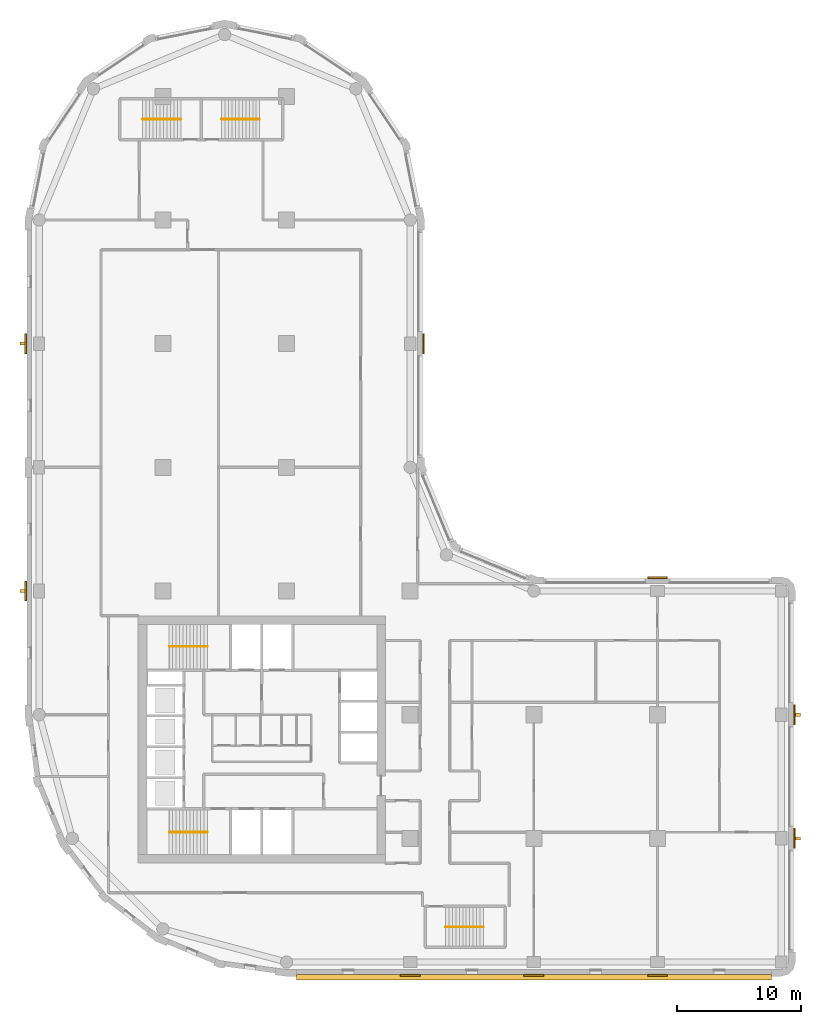
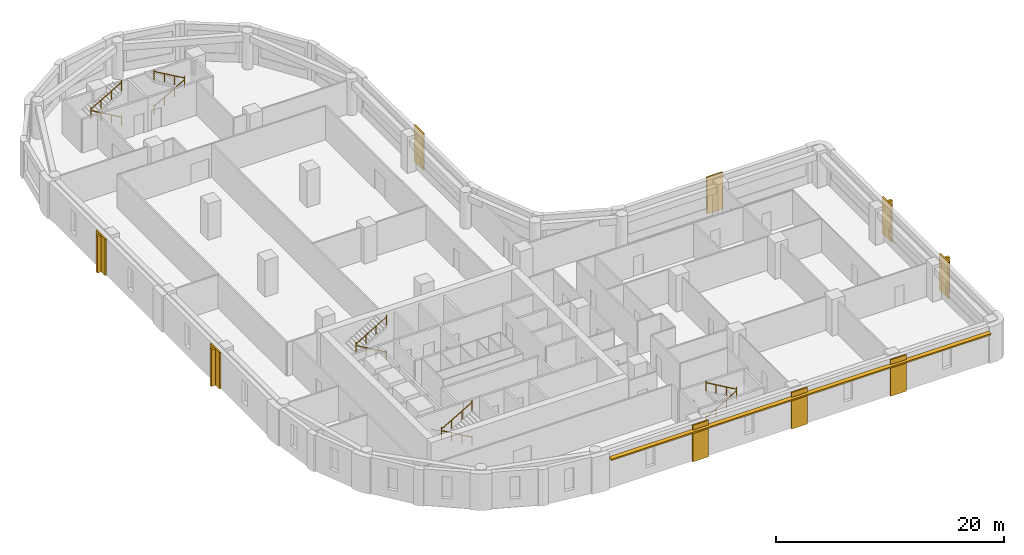
# One storey, part 9 of 10: 10 railings, 9 coverings, 5 shading devices.
"""IFC4 building model written with IfcOpenShell, lengths in metres."""

from ifc_helpers import new_model, si_unit, direction, frame, origin, origin_2d, place, context, subcontext, project, spatial, polyline, rectangle, circle, outline, extrude, material, layer, layer_set, type_object, element, save


model = new_model("IFC4")

# Units and contexts
model_context = context("Model", 3, precision=1e-05, world=origin(), true_north=direction((0.0, 1.0)))
body_context = subcontext(model_context, "Body", "Model", "MODEL_VIEW")
ifc_project = project(units=[si_unit("LENGTHUNIT", "METRE"), si_unit("AREAUNIT", "SQUARE_METRE"), si_unit("VOLUMEUNIT", "CUBIC_METRE"), si_unit("PLANEANGLEUNIT", "RADIAN"), si_unit("MASSUNIT", "GRAM", prefix="KILO")], contexts=[model_context])

# Site, building, storey
site_placement = place(None, origin())
site = spatial("IfcSite", under=ifc_project, at=site_placement, CompositionType="ELEMENT")
building_placement = place(site_placement, origin())
building = spatial("IfcBuilding", under=site, at=building_placement, Name="Qaws Garden Tower", CompositionType="ELEMENT")
storey_placement = place(building_placement, frame((0.0, 0.0, 186.300048828125)))
storey = spatial("IfcBuildingStorey", under=building, at=storey_placement, Name="L45", CompositionType="ELEMENT", Elevation=186.300048828125)

# Coverings
ifc_material_1 = material(Name="Clay facing brick masonry", Category="masonry")
ifc_layer_1 = layer(ifc_material_1, 0.14990234375)
ifc_layer_set_1 = layer_set([ifc_layer_1], Name="Clay facing brick masonry")
covering_type = type_object("IfcCoveringType", Name="Brick pilaster facing 150 x 1600", PredefinedType="CLADDING", material=ifc_layer_set_1)
placement = place(storey_placement, origin())
element("IfcCovering", 1, at=placement, inside=storey, type_object=covering_type, Name="E-L45-pier-01", PredefinedType="CLADDING", context=body_context, shape_type="SweptSolid", body=[
    extrude(outline(polyline([(29.199951171875, -1.0), (30.800048828125, -1.0), (30.800048828125, -1.14990234375), (29.199951171875, -1.14990234375), (29.199951171875, -1.0)])), origin(), (0.0, 0.0, 1.0), 3.89990234375),
])
element("IfcCovering", 2, at=placement, inside=storey, type_object=covering_type, Name="E-L45-pier-02", PredefinedType="CLADDING", context=body_context, shape_type="SweptSolid", body=[
    extrude(outline(polyline([(39.199951171875, -1.0), (40.800048828125, -1.0), (40.800048828125, -1.14990234375), (39.199951171875, -1.14990234375), (39.199951171875, -1.0)])), origin(), (0.0, 0.0, 1.0), 3.89990234375),
])
element("IfcCovering", 3, at=placement, inside=storey, type_object=covering_type, Name="E-L45-pier-03", PredefinedType="CLADDING", context=body_context, shape_type="SweptSolid", body=[
    extrude(outline(polyline([(49.199951171875, -1.0), (50.800048828125, -1.0), (50.800048828125, -1.14990234375), (49.199951171875, -1.14990234375), (49.199951171875, -1.0)])), origin(), (0.0, 0.0, 1.0), 3.89990234375),
])
element("IfcCovering", 4, at=placement, inside=storey, type_object=covering_type, Name="E-L45-pier-05", PredefinedType="CLADDING", context=body_context, shape_type="SweptSolid", body=[
    extrude(outline(polyline([(61.0, 9.199951171875), (61.0, 10.800048828125), (61.14990234375, 10.800048828125), (61.14990234375, 9.199951171875), (61.0, 9.199951171875)])), origin(), (0.0, 0.0, 1.0), 3.89990234375),
])
element("IfcCovering", 5, at=placement, inside=storey, type_object=covering_type, Name="E-L45-pier-06", PredefinedType="CLADDING", context=body_context, shape_type="SweptSolid", body=[
    extrude(outline(polyline([(61.0, 19.199951171875), (61.0, 20.800048828125), (61.14990234375, 20.800048828125), (61.14990234375, 19.199951171875), (61.0, 19.199951171875)])), origin(), (0.0, 0.0, 1.0), 3.89990234375),
])
element("IfcCovering", 6, at=placement, inside=storey, type_object=covering_type, Name="E-L45-pier-08", PredefinedType="CLADDING", context=body_context, shape_type="SweptSolid", body=[
    extrude(outline(polyline([(50.800048828125, 31.0), (49.199951171875, 31.0), (49.199951171875, 31.14990234375), (50.800048828125, 31.14990234375), (50.800048828125, 31.0)])), origin(), (0.0, 0.0, 1.0), 3.89990234375),
])
element("IfcCovering", 7, at=placement, inside=storey, type_object=covering_type, Name="E-L45-pier-12", PredefinedType="CLADDING", context=body_context, shape_type="SweptSolid", body=[
    extrude(outline(polyline([(31.0, 49.199951171875), (31.0, 50.800048828125), (31.14990234375, 50.800048828125), (31.14990234375, 49.199951171875), (31.0, 49.199951171875)])), origin(), (0.0, 0.0, 1.0), 3.89990234375),
])
element("IfcCovering", 8, at=placement, inside=storey, type_object=covering_type, Name="E-L45-pier-22", PredefinedType="CLADDING", context=body_context, shape_type="SweptSolid", body=[
    extrude(outline(polyline([(-1.0, 50.800048828125), (-1.0, 49.199951171875), (-1.14990234375, 49.199951171875), (-1.14990234375, 50.800048828125), (-1.0, 50.800048828125)])), origin(), (0.0, 0.0, 1.0), 3.89990234375),
])
element("IfcCovering", 9, at=placement, inside=storey, type_object=covering_type, Name="E-L45-pier-24", PredefinedType="CLADDING", context=body_context, shape_type="SweptSolid", body=[
    extrude(outline(polyline([(-1.0, 30.800048828125), (-1.0, 29.199951171875), (-1.14990234375, 29.199951171875), (-1.14990234375, 30.800048828125), (-1.0, 30.800048828125)])), origin(), (0.0, 0.0, 1.0), 3.89990234375),
])

# Shading devices
ifc_material_2 = material(Name="Clay facing brick masonry", Category="masonry")
ifc_layer_2 = layer(ifc_material_2, 0.14990234375)
ifc_layer_set_2 = layer_set([ifc_layer_2], Name="Clay facing brick masonry")
shading_device_type_1 = type_object("IfcShadingDeviceType", Name="Brick sunshade band 450 x 150", PredefinedType="JALOUSIE", material=ifc_layer_set_2)
shading_device_placement = place(storey_placement, frame((0.0, 0.0, 3.25)))
element("IfcShadingDevice", 10, at=shading_device_placement, inside=storey, type_object=shading_device_type_1, Name="SUNSHADE 00", PredefinedType="JALOUSIE", context=body_context, shape_type="SweptSolid", body=[
    extrude(outline(polyline([(20.800048828125, -1.0), (20.800048828125, -1.449951171875), (59.199951171875, -1.449951171875), (59.199951171875, -1.0), (50.800048828125, -1.0), (50.800048828125, -1.14990234375), (49.199951171875, -1.14990234375), (49.199951171875, -1.0), (40.800048828125, -1.0), (40.800048828125, -1.14990234375), (39.199951171875, -1.14990234375), (39.199951171875, -1.0), (30.800048828125, -1.0), (30.800048828125, -1.14990234375), (29.199951171875, -1.14990234375), (29.199951171875, -1.0), (20.800048828125, -1.0)])), origin(), (0.0, 0.0, 1.0), 0.14990234375),
])
ifc_material_3 = material(Name="Clay facing brick masonry", Category="masonry")
ifc_layer_3 = layer(ifc_material_3, 0.25)
ifc_layer_set_3 = layer_set([ifc_layer_3], Name="Clay facing brick masonry")
shading_device_type_2 = type_object("IfcShadingDeviceType", Name="Brick-faced fin 250 x 400", PredefinedType="USERDEFINED", material=ifc_layer_set_3)
for number, where, z_axis, x_axis, name in (
    (11, (61.35009765625, 10.0, 0.0), (0.0, 0.0, 1.0), (0.0, 1.0, 0.0), "FIN 05"),
    (12, (61.35009765625, 20.0, 0.0), (0.0, 0.0, 1.0), (0.0, 1.0, 0.0), "FIN 06"),
    (13, (-1.35009765625, 50.0, 0.0), (0.0, 0.0, 1.0), (0.0, -1.0, 0.0), "FIN 22"),
    (14, (-1.35009765625, 30.0, 0.0), (0.0, 0.0, 1.0), (0.0, -1.0, 0.0), "FIN 24"),
):
    element("IfcShadingDevice", number, at=place(storey_placement, frame(where, z_axis=z_axis, x_axis=x_axis)), inside=storey, type_object=shading_device_type_2, Name=name, ObjectType="FIN", PredefinedType="USERDEFINED", context=body_context, shape_type="SweptSolid", body=[
        extrude(rectangle(XDim=0.25, YDim=0.39990234375, at=origin_2d()), origin(), (0.0, 0.0, 1.0), 3.89990234375),
    ])

# Railings
ifc_material_4 = material(Name="Steel S355", Category="steel")
railing_type = type_object("IfcRailingType", Name="Stair handrail 900", PredefinedType="HANDRAIL", material=ifc_material_4)
railing_1_placement = place(storey_placement, frame((13.60009765625, 10.5, 0.162353515625)))
element("IfcRailing", 15, at=railing_1_placement, inside=storey, type_object=railing_type, Name="Stair 1 handrail", PredefinedType="HANDRAIL", context=body_context, shape_type="SweptSolid", body=[
    extrude(circle(Radius=0.02392578125, at=origin_2d()), frame((0.0, 0.0, 0.8759765625), z_axis=(-0.864890721111, 0.0, 0.501960198159), x_axis=(0.0, -1.0, 0.0)), (0.0, 0.0, 1.0), 3.561279296875),
    extrude(circle(Radius=0.02099609375, at=origin_2d()), origin(), (0.0, 0.0, 1.0), 1.06201171875),
    extrude(circle(Radius=0.02099609375, at=origin_2d()), frame((-1.026611328125, 0.0, 0.595947265625)), (0.0, 0.0, 1.0), 0.851806640625),
    extrude(circle(Radius=0.02099609375, at=origin_2d()), frame((-2.053466796875, 0.0, 1.191650390625)), (0.0, 0.0, 1.0), 0.851806640625),
    extrude(circle(Radius=0.02099609375, at=origin_2d()), frame((-3.080078125, 0.0, 1.78759765625)), (0.0, 0.0, 1.0), 1.06201171875),
])
railing_2_placement = place(storey_placement, frame((10.52001953125, 10.5, 2.112548828125)))
element("IfcRailing", 16, at=railing_2_placement, inside=storey, type_object=railing_type, Name="Stair 1 handrail", PredefinedType="HANDRAIL", context=body_context, shape_type="SweptSolid", body=[
    extrude(circle(Radius=0.02392578125, at=origin_2d()), frame((0.0, 0.0, 0.8759765625), z_axis=(0.864920483161, 0.0, 0.501908913857), x_axis=(0.0, 1.0, 0.0)), (0.0, 0.0, 1.0), 3.56103515625),
    extrude(circle(Radius=0.02099609375, at=origin_2d()), origin(), (0.0, 0.0, 1.0), 1.06201171875),
    extrude(circle(Radius=0.02099609375, at=origin_2d()), frame((1.026611328125, 0.0, 0.595703125)), (0.0, 0.0, 1.0), 0.851806640625),
    extrude(circle(Radius=0.02099609375, at=origin_2d()), frame((2.053466796875, 0.0, 1.191650390625)), (0.0, 0.0, 1.0), 0.851806640625),
    extrude(circle(Radius=0.02099609375, at=origin_2d()), frame((3.080078125, 0.0, 1.787353515625)), (0.0, 0.0, 1.0), 1.06201171875),
])
railing_3_placement = place(storey_placement, frame((13.60009765625, 25.5, 0.162353515625)))
element("IfcRailing", 17, at=railing_3_placement, inside=storey, type_object=railing_type, Name="Stair 4 handrail", PredefinedType="HANDRAIL", context=body_context, shape_type="SweptSolid", body=[
    extrude(circle(Radius=0.02392578125, at=origin_2d()), frame((0.0, 0.0, 0.8759765625), z_axis=(-0.864890721111, 0.0, 0.501960198159), x_axis=(0.0, -1.0, 0.0)), (0.0, 0.0, 1.0), 3.561279296875),
    extrude(circle(Radius=0.02099609375, at=origin_2d()), origin(), (0.0, 0.0, 1.0), 1.06201171875),
    extrude(circle(Radius=0.02099609375, at=origin_2d()), frame((-1.026611328125, 0.0, 0.595947265625)), (0.0, 0.0, 1.0), 0.851806640625),
    extrude(circle(Radius=0.02099609375, at=origin_2d()), frame((-2.053466796875, 0.0, 1.191650390625)), (0.0, 0.0, 1.0), 0.851806640625),
    extrude(circle(Radius=0.02099609375, at=origin_2d()), frame((-3.080078125, 0.0, 1.78759765625)), (0.0, 0.0, 1.0), 1.06201171875),
])
railing_4_placement = place(storey_placement, frame((10.52001953125, 25.5, 2.112548828125)))
element("IfcRailing", 18, at=railing_4_placement, inside=storey, type_object=railing_type, Name="Stair 4 handrail", PredefinedType="HANDRAIL", context=body_context, shape_type="SweptSolid", body=[
    extrude(circle(Radius=0.02392578125, at=origin_2d()), frame((0.0, 0.0, 0.8759765625), z_axis=(0.864920483161, 0.0, 0.501908913857), x_axis=(0.0, 1.0, 0.0)), (0.0, 0.0, 1.0), 3.56103515625),
    extrude(circle(Radius=0.02099609375, at=origin_2d()), origin(), (0.0, 0.0, 1.0), 1.06201171875),
    extrude(circle(Radius=0.02099609375, at=origin_2d()), frame((1.026611328125, 0.0, 0.595703125)), (0.0, 0.0, 1.0), 0.851806640625),
    extrude(circle(Radius=0.02099609375, at=origin_2d()), frame((2.053466796875, 0.0, 1.191650390625)), (0.0, 0.0, 1.0), 0.851806640625),
    extrude(circle(Radius=0.02099609375, at=origin_2d()), frame((3.080078125, 0.0, 1.787353515625)), (0.0, 0.0, 1.0), 1.06201171875),
])
railing_5_placement = place(storey_placement, frame((32.85009765625, 2.85009765625, 0.162353515625)))
element("IfcRailing", 19, at=railing_5_placement, inside=storey, type_object=railing_type, Name="Stair 5 handrail", PredefinedType="HANDRAIL", context=body_context, shape_type="SweptSolid", body=[
    extrude(circle(Radius=0.02392578125, at=origin_2d()), frame((0.0, 0.0, 0.8759765625), z_axis=(0.864873446163, 0.0, 0.501989962173), x_axis=(0.0, 1.0, 0.0)), (0.0, 0.0, 1.0), 3.56103515625),
    extrude(circle(Radius=0.02099609375, at=origin_2d()), origin(), (0.0, 0.0, 1.0), 1.06201171875),
    extrude(circle(Radius=0.02099609375, at=origin_2d()), frame((1.026611328125, 0.0, 0.595947265625)), (0.0, 0.0, 1.0), 0.851806640625),
    extrude(circle(Radius=0.02099609375, at=origin_2d()), frame((2.05322265625, 0.0, 1.191650390625)), (0.0, 0.0, 1.0), 0.851806640625),
    extrude(circle(Radius=0.02099609375, at=origin_2d()), frame((3.079833984375, 0.0, 1.78759765625)), (0.0, 0.0, 1.0), 1.06201171875),
])
railing_6_placement = place(storey_placement, frame((35.929931640625, 2.85009765625, 2.112548828125)))
element("IfcRailing", 20, at=railing_6_placement, inside=storey, type_object=railing_type, Name="Stair 5 handrail", PredefinedType="HANDRAIL", context=body_context, shape_type="SweptSolid", body=[
    extrude(circle(Radius=0.02392578125, at=origin_2d()), frame((0.0, 0.0, 0.8759765625), z_axis=(-0.864903211148, 0.0, 0.501938676878), x_axis=(0.0, -1.0, 0.0)), (0.0, 0.0, 1.0), 3.560791015625),
    extrude(circle(Radius=0.02099609375, at=origin_2d()), origin(), (0.0, 0.0, 1.0), 1.06201171875),
    extrude(circle(Radius=0.02099609375, at=origin_2d()), frame((-1.026611328125, 0.0, 0.595703125)), (0.0, 0.0, 1.0), 0.851806640625),
    extrude(circle(Radius=0.02099609375, at=origin_2d()), frame((-2.05322265625, 0.0, 1.191650390625)), (0.0, 0.0, 1.0), 0.851806640625),
    extrude(circle(Radius=0.02099609375, at=origin_2d()), frame((-3.079833984375, 0.0, 1.787353515625)), (0.0, 0.0, 1.0), 1.06201171875),
])
railing_7_placement = place(storey_placement, frame((11.449951171875, 68.14990234375, 0.162353515625)))
element("IfcRailing", 21, at=railing_7_placement, inside=storey, type_object=railing_type, Name="Stair 6 handrail", PredefinedType="HANDRAIL", context=body_context, shape_type="SweptSolid", body=[
    extrude(circle(Radius=0.02392578125, at=origin_2d()), frame((0.0, 0.0, 0.8759765625), z_axis=(-0.864873446163, 0.0, 0.501989962173), x_axis=(0.0, -1.0, 0.0)), (0.0, 0.0, 1.0), 3.56103515625),
    extrude(circle(Radius=0.02099609375, at=origin_2d()), origin(), (0.0, 0.0, 1.0), 1.06201171875),
    extrude(circle(Radius=0.02099609375, at=origin_2d()), frame((-1.026611328125, 0.0, 0.595947265625)), (0.0, 0.0, 1.0), 0.851806640625),
    extrude(circle(Radius=0.02099609375, at=origin_2d()), frame((-2.05322265625, 0.0, 1.191650390625)), (0.0, 0.0, 1.0), 0.851806640625),
    extrude(circle(Radius=0.02099609375, at=origin_2d()), frame((-3.079833984375, 0.0, 1.78759765625)), (0.0, 0.0, 1.0), 1.06201171875),
])
railing_8_placement = place(storey_placement, frame((8.3701171875, 68.14990234375, 2.112548828125)))
element("IfcRailing", 22, at=railing_8_placement, inside=storey, type_object=railing_type, Name="Stair 6 handrail", PredefinedType="HANDRAIL", context=body_context, shape_type="SweptSolid", body=[
    extrude(circle(Radius=0.02392578125, at=origin_2d()), frame((0.0, 0.0, 0.8759765625), z_axis=(0.864903211148, 0.0, 0.501938676878), x_axis=(0.0, 1.0, 0.0)), (0.0, 0.0, 1.0), 3.560791015625),
    extrude(circle(Radius=0.02099609375, at=origin_2d()), origin(), (0.0, 0.0, 1.0), 1.06201171875),
    extrude(circle(Radius=0.02099609375, at=origin_2d()), frame((1.026611328125, 0.0, 0.595703125)), (0.0, 0.0, 1.0), 0.851806640625),
    extrude(circle(Radius=0.02099609375, at=origin_2d()), frame((2.05322265625, 0.0, 1.191650390625)), (0.0, 0.0, 1.0), 0.851806640625),
    extrude(circle(Radius=0.02099609375, at=origin_2d()), frame((3.079833984375, 0.0, 1.787353515625)), (0.0, 0.0, 1.0), 1.06201171875),
])
railing_9_placement = place(storey_placement, frame((14.75, 68.14990234375, 0.162353515625)))
element("IfcRailing", 23, at=railing_9_placement, inside=storey, type_object=railing_type, Name="Stair 7 handrail", PredefinedType="HANDRAIL", context=body_context, shape_type="SweptSolid", body=[
    extrude(circle(Radius=0.02392578125, at=origin_2d()), frame((0.0, 0.0, 0.8759765625), z_axis=(0.864890721111, 0.0, 0.501960198159), x_axis=(0.0, 1.0, 0.0)), (0.0, 0.0, 1.0), 3.561279296875),
    extrude(circle(Radius=0.02099609375, at=origin_2d()), origin(), (0.0, 0.0, 1.0), 1.06201171875),
    extrude(circle(Radius=0.02099609375, at=origin_2d()), frame((1.026611328125, 0.0, 0.595947265625)), (0.0, 0.0, 1.0), 0.851806640625),
    extrude(circle(Radius=0.02099609375, at=origin_2d()), frame((2.053466796875, 0.0, 1.191650390625)), (0.0, 0.0, 1.0), 0.851806640625),
    extrude(circle(Radius=0.02099609375, at=origin_2d()), frame((3.080078125, 0.0, 1.78759765625)), (0.0, 0.0, 1.0), 1.06201171875),
])
railing_10_placement = place(storey_placement, frame((17.830078125, 68.14990234375, 2.112548828125)))
element("IfcRailing", 24, at=railing_10_placement, inside=storey, type_object=railing_type, Name="Stair 7 handrail", PredefinedType="HANDRAIL", context=body_context, shape_type="SweptSolid", body=[
    extrude(circle(Radius=0.02392578125, at=origin_2d()), frame((0.0, 0.0, 0.8759765625), z_axis=(-0.864920483161, 0.0, 0.501908913857), x_axis=(0.0, -1.0, 0.0)), (0.0, 0.0, 1.0), 3.56103515625),
    extrude(circle(Radius=0.02099609375, at=origin_2d()), origin(), (0.0, 0.0, 1.0), 1.06201171875),
    extrude(circle(Radius=0.02099609375, at=origin_2d()), frame((-1.026611328125, 0.0, 0.595703125)), (0.0, 0.0, 1.0), 0.851806640625),
    extrude(circle(Radius=0.02099609375, at=origin_2d()), frame((-2.053466796875, 0.0, 1.191650390625)), (0.0, 0.0, 1.0), 0.851806640625),
    extrude(circle(Radius=0.02099609375, at=origin_2d()), frame((-3.080078125, 0.0, 1.787353515625)), (0.0, 0.0, 1.0), 1.06201171875),
])

save(model, "model.ifc")
